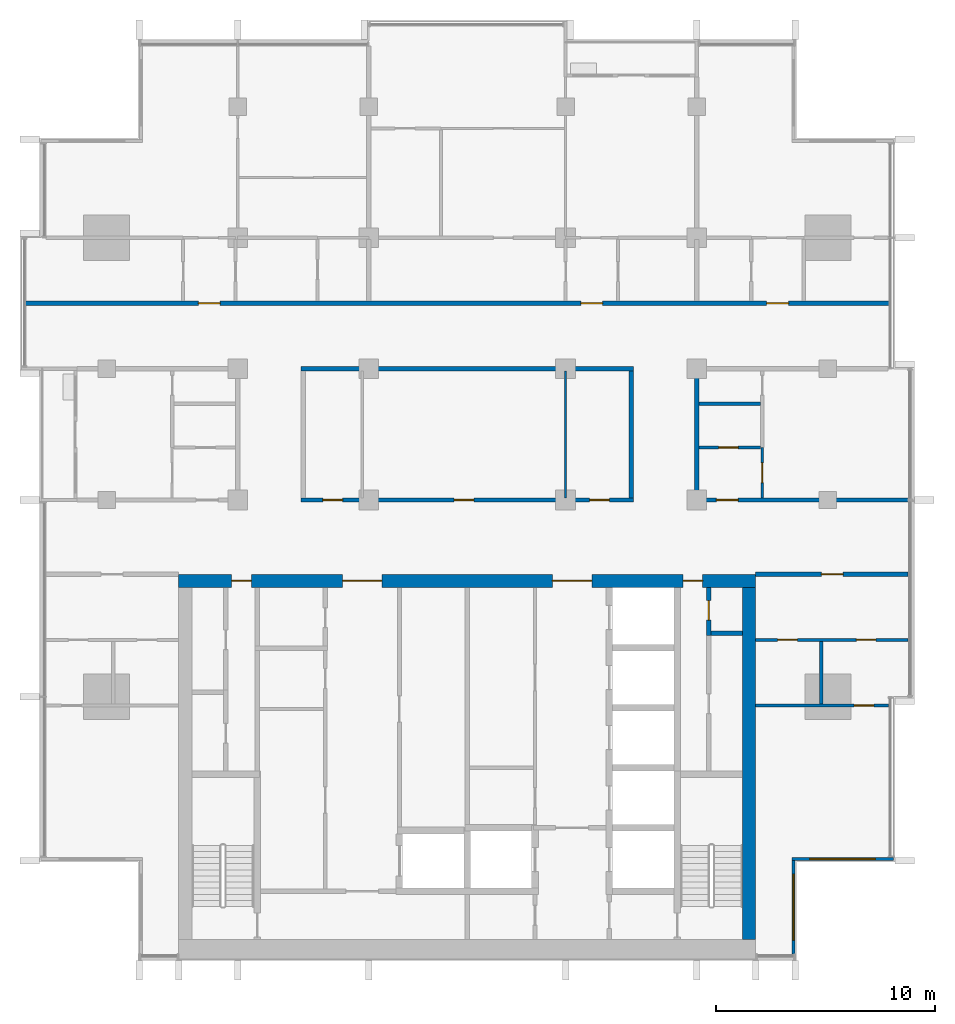
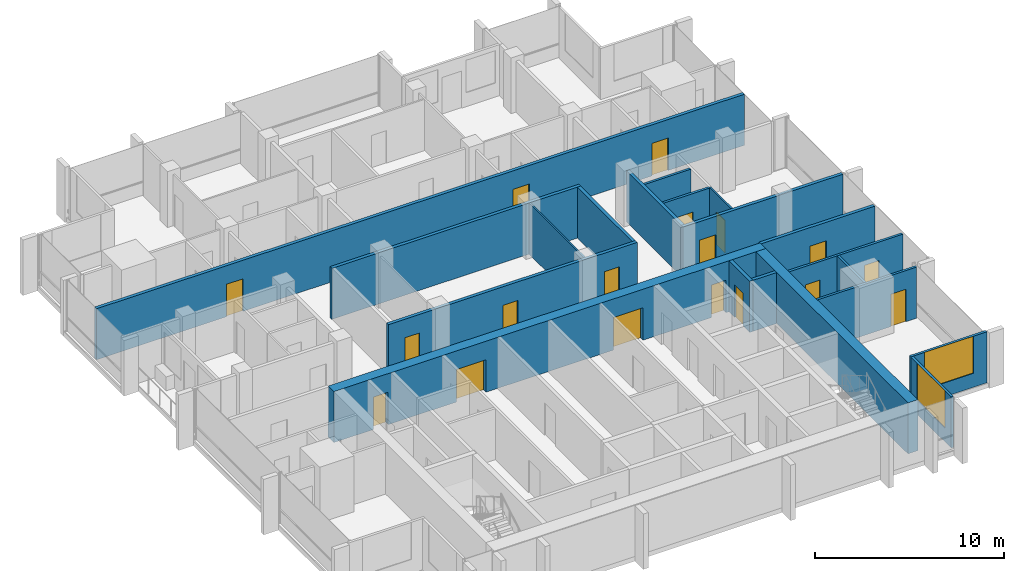
# One storey, part 9 of 16: 20 walls, 18 doors, 2 windows, 20 openings.
"""IFC4 building model written with IfcOpenShell, lengths in metres."""

from ifc_helpers import new_model, si_unit, direction, frame, frame_2d, origin, place, context, subcontext, project, spatial, rectangle, extrude, material, layer, layer_set, type_object, element, fill, save


model = new_model("IFC4")

# Units and contexts
model_context = context("Model", 3, precision=1e-05, world=origin(), true_north=direction((0.0, 1.0)))
body_context = subcontext(model_context, "Body", "Model", "MODEL_VIEW")
ifc_project = project(units=[si_unit("LENGTHUNIT", "METRE"), si_unit("AREAUNIT", "SQUARE_METRE"), si_unit("VOLUMEUNIT", "CUBIC_METRE"), si_unit("PLANEANGLEUNIT", "RADIAN"), si_unit("MASSUNIT", "GRAM", prefix="KILO")], contexts=[model_context])

# Site, building, storey
site_placement = place(None, origin())
site = spatial("IfcSite", under=ifc_project, at=site_placement, CompositionType="ELEMENT")
building_placement = place(site_placement, origin())
building = spatial("IfcBuilding", under=site, at=building_placement, Name="Finial Court Residences", CompositionType="ELEMENT")
storey_placement = place(building_placement, frame((0.0, 0.0, 233.89990234375)))
storey = spatial("IfcBuildingStorey", under=building, at=storey_placement, Name="L59", CompositionType="ELEMENT", Elevation=233.89990234375)

# Wall, openings, doors
ifc_material_1 = material(Name="Concrete C60/75", Category="concrete")
ifc_layer_1 = layer(ifc_material_1, 0.60009765625)
ifc_layer_set_1 = layer_set([ifc_layer_1], Name="Core outer wall 600 Concrete C60/75")
wall_type_1 = type_object("IfcWallType", Name="Core outer wall 600 Concrete C60/75", PredefinedType="SHEAR", material=ifc_layer_set_1)
wall_1_placement = place(storey_placement, frame((-13.199951171875, -8.199951171875, 0.0), z_axis=(0.0, 0.0, 1.0), x_axis=(1.0, 0.0, 0.0)))
wall_1 = element("IfcWall", 1, at=wall_1_placement, inside=storey, type_object=wall_type_1, Name="Core outer wall L59-02", PredefinedType="SHEAR", context=body_context, shape_type="SweptSolid", body=[
    extrude(rectangle(XDim=26.39990234375, YDim=0.60009765625, at=frame_2d((13.199951171875, 0.0))), origin(), (0.0, 0.0, 1.0), 3.300048828125),
])
opening_1_placement = place(wall_1_placement, frame((7.5, 0.0, 0.0)))
opening_1 = element("IfcOpeningElement", 2, at=opening_1_placement, cuts=wall_1, Name="Opening L59-C04", PredefinedType="OPENING", context=body_context, shape_type="SweptSolid", body=[
    extrude(rectangle(XDim=1.800048828125, YDim=2.10009765625, at=frame_2d((0.89990234375, 1.050048828125))), frame((0.0, 0.31005859375, 0.0), z_axis=(0.0, -1.0, 0.0), x_axis=(1.0, 0.0, 0.0)), (0.0, 0.0, 1.0), 0.6201171875),
])
opening_2_placement = place(wall_1_placement, frame((17.10009765625, 0.0, 0.0)))
opening_2 = element("IfcOpeningElement", 3, at=opening_2_placement, cuts=wall_1, Name="Opening L59-C05", PredefinedType="OPENING", context=body_context, shape_type="SweptSolid", body=[
    extrude(rectangle(XDim=1.800048828125, YDim=2.10009765625, at=frame_2d((0.89990234375, 1.050048828125))), frame((0.0, 0.31005859375, 0.0), z_axis=(0.0, -1.0, 0.0), x_axis=(1.0, 0.0, 0.0)), (0.0, 0.0, 1.0), 0.6201171875),
])
opening_3_placement = place(wall_1_placement, frame((2.425048828125, 0.0, 0.0)))
opening_3 = element("IfcOpeningElement", 4, at=opening_3_placement, cuts=wall_1, Name="Opening L59-C11", PredefinedType="OPENING", context=body_context, shape_type="SweptSolid", body=[
    extrude(rectangle(XDim=0.89990234375, YDim=2.10009765625, at=frame_2d((0.449951171875, 1.050048828125))), frame((0.0, 0.31005859375, 0.0), z_axis=(0.0, -1.0, 0.0), x_axis=(1.0, 0.0, 0.0)), (0.0, 0.0, 1.0), 0.6201171875),
])
opening_4_placement = place(wall_1_placement, frame((23.074951171875, 0.0, 0.0)))
opening_4 = element("IfcOpeningElement", 5, at=opening_4_placement, cuts=wall_1, Name="Opening L59-C12", PredefinedType="OPENING", context=body_context, shape_type="SweptSolid", body=[
    extrude(rectangle(XDim=0.89990234375, YDim=2.10009765625, at=frame_2d((0.449951171875, 1.050048828125))), frame((0.0, 0.31005859375, 0.0), z_axis=(0.0, -1.0, 0.0), x_axis=(1.0, 0.0, 0.0)), (0.0, 0.0, 1.0), 0.6201171875),
])
ifc_material_2 = material(Name="Steel fire door", Category="steel")
door_type_1 = type_object("IfcDoorType", Name="Lift lobby door 1800 x 2100 EI 60", OperationType="DOUBLE_DOOR_SINGLE_SWING", PredefinedType="DOOR", material=ifc_material_2)
door_1_placement = place(opening_1_placement, origin())
door_1 = element("IfcDoor", 6, at=door_1_placement, inside=storey, type_object=door_type_1, Name="Lift lobby door L59-C04", OperationType="DOUBLE_DOOR_SINGLE_SWING", OverallHeight=2.10009765625, OverallWidth=1.800048828125, PredefinedType="DOOR", context=body_context, shape_type="SweptSolid", body=[
    extrude(rectangle(XDim=1.800048828125, YDim=2.10009765625, at=frame_2d((0.89990234375, 1.050048828125))), frame((0.0, 0.02490234375, 0.0), z_axis=(0.0, -1.0, 0.0), x_axis=(1.0, 0.0, 0.0)), (0.0, 0.0, 1.0), 0.050048828125),
])
fill(opening_1, door_1)
door_2_placement = place(opening_2_placement, origin())
door_2 = element("IfcDoor", 7, at=door_2_placement, inside=storey, type_object=door_type_1, Name="Lift lobby door L59-C05", OperationType="DOUBLE_DOOR_SINGLE_SWING", OverallHeight=2.10009765625, OverallWidth=1.800048828125, PredefinedType="DOOR", context=body_context, shape_type="SweptSolid", body=[
    extrude(rectangle(XDim=1.800048828125, YDim=2.10009765625, at=frame_2d((0.89990234375, 1.050048828125))), frame((0.0, 0.02490234375, 0.0), z_axis=(0.0, -1.0, 0.0), x_axis=(1.0, 0.0, 0.0)), (0.0, 0.0, 1.0), 0.050048828125),
])
fill(opening_2, door_2)
door_type_2 = type_object("IfcDoorType", Name="Riser room door 900 x 2100 EI 90", OperationType="NOTDEFINED", PredefinedType="DOOR", material=ifc_material_2)
door_3_placement = place(opening_3_placement, origin())
door_3 = element("IfcDoor", 8, at=door_3_placement, inside=storey, type_object=door_type_2, Name="Riser room door L59-C11", OperationType="SINGLE_SWING_RIGHT", OverallHeight=2.10009765625, OverallWidth=0.89990234375, PredefinedType="DOOR", context=body_context, shape_type="SweptSolid", body=[
    extrude(rectangle(XDim=0.89990234375, YDim=2.10009765625, at=frame_2d((0.449951171875, 1.050048828125))), frame((0.0, 0.02490234375, 0.0), z_axis=(0.0, -1.0, 0.0), x_axis=(1.0, 0.0, 0.0)), (0.0, 0.0, 1.0), 0.050048828125),
])
fill(opening_3, door_3)
door_4_placement = place(opening_4_placement, origin())
door_4 = element("IfcDoor", 9, at=door_4_placement, inside=storey, type_object=door_type_2, Name="Riser room door L59-C12", OperationType="SINGLE_SWING_LEFT", OverallHeight=2.10009765625, OverallWidth=0.89990234375, PredefinedType="DOOR", context=body_context, shape_type="SweptSolid", body=[
    extrude(rectangle(XDim=0.89990234375, YDim=2.10009765625, at=frame_2d((0.449951171875, 1.050048828125))), frame((0.0, 0.02490234375, 0.0), z_axis=(0.0, -1.0, 0.0), x_axis=(1.0, 0.0, 0.0)), (0.0, 0.0, 1.0), 0.050048828125),
])
fill(opening_4, door_4)

# Wall
wall_2_placement = place(storey_placement, frame((12.89990234375, -24.60009765625, 0.0), z_axis=(0.0, 0.0, 1.0), x_axis=(0.0, 1.0, 0.0)))
element("IfcWall", 10, at=wall_2_placement, inside=storey, type_object=wall_type_1, Name="Core outer wall L59-04", PredefinedType="SHEAR", context=body_context, shape_type="SweptSolid", body=[
    extrude(rectangle(XDim=16.10009765625, YDim=0.60009765625, at=frame_2d((8.050048828125, 0.0))), origin(), (0.0, 0.0, 1.0), 3.300048828125),
])

# Wall, opening, door
ifc_material_3 = material(Name="Gypsum board")
ifc_layer_2 = layer(ifc_material_3, 0.02490234375)
ifc_material_4 = material(Name="Acoustic mineral wool in double frame")
ifc_layer_3 = layer(ifc_material_4, 0.14990234375)
ifc_layer_4 = layer(ifc_material_3, 0.02490234375)
ifc_layer_set_2 = layer_set([ifc_layer_2, ifc_layer_3, ifc_layer_4], Name="Corridor wall 200, 1 hour")
wall_type_2 = type_object("IfcWallType", Name="Corridor wall 200, 1 hour", PredefinedType="PARTITIONING", material=ifc_layer_set_2)
wall_3_placement = place(storey_placement, frame((13.199951171875, -7.89990234375, 0.0), z_axis=(0.0, 0.0, 1.0), x_axis=(1.0, 0.0, 0.0)))
wall_3 = element("IfcWall", 11, at=wall_3_placement, inside=storey, type_object=wall_type_2, Name="Partition L59-005", PredefinedType="PARTITIONING", context=body_context, shape_type="SweptSolid", body=[
    extrude(rectangle(XDim=6.962646484375, YDim=0.199951171875, at=frame_2d((3.4814453125, 0.0))), origin(), (0.0, 0.0, 1.0), 3.300048828125),
])
opening_5_placement = place(wall_3_placement, frame((3.0, 0.0, 0.0)))
opening_5 = element("IfcOpeningElement", 12, at=opening_5_placement, cuts=wall_3, Name="Opening L59-D008", PredefinedType="OPENING", context=body_context, shape_type="SweptSolid", body=[
    extrude(rectangle(XDim=1.0, YDim=2.10009765625, at=frame_2d((0.5, 1.050048828125))), frame((0.0, 0.10986328125, 0.0), z_axis=(0.0, -1.0, 0.0), x_axis=(1.0, 0.0, 0.0)), (0.0, 0.0, 1.0), 0.219970703125),
])
ifc_material_5 = material(Name="Timber door leaf in hollow metal frame", Category="wood")
door_type_3 = type_object("IfcDoorType", Name="Fire door set 1000 x 2100, 30 minutes", OperationType="SINGLE_SWING_LEFT", PredefinedType="DOOR", material=ifc_material_5)
door_5_placement = place(opening_5_placement, origin())
door_5 = element("IfcDoor", 13, at=door_5_placement, inside=storey, type_object=door_type_3, Name="Door L59-D008", OperationType="SINGLE_SWING_LEFT", OverallHeight=2.10009765625, OverallWidth=1.0, PredefinedType="DOOR", context=body_context, shape_type="SweptSolid", body=[
    extrude(rectangle(XDim=1.0, YDim=2.10009765625, at=frame_2d((0.5, 1.050048828125))), frame((0.0, 0.02490234375, 0.0), z_axis=(0.0, -1.0, 0.0), x_axis=(1.0, 0.0, 0.0)), (0.0, 0.0, 1.0), 0.050048828125),
])
fill(opening_5, door_5)

# Wall, openings, doors
wall_4_placement = place(storey_placement, frame((-7.60009765625, -4.5, 0.0), z_axis=(0.0, 0.0, 1.0), x_axis=(1.0, 0.0, 0.0)))
wall_4 = element("IfcWall", 14, at=wall_4_placement, inside=storey, type_object=wall_type_2, Name="Partition L59-007", PredefinedType="PARTITIONING", context=body_context, shape_type="SweptSolid", body=[
    extrude(rectangle(XDim=15.2001953125, YDim=0.199951171875, at=frame_2d((7.60009765625, 0.0))), origin(), (0.0, 0.0, 1.0), 3.300048828125),
])
opening_6_placement = place(wall_4_placement, frame((1.0, 0.0, 0.0)))
opening_6 = element("IfcOpeningElement", 15, at=opening_6_placement, cuts=wall_4, Name="Opening L59-D010", PredefinedType="OPENING", context=body_context, shape_type="SweptSolid", body=[
    extrude(rectangle(XDim=0.89990234375, YDim=2.10009765625, at=frame_2d((0.449951171875, 1.050048828125))), frame((0.0, 0.10986328125, 0.0), z_axis=(0.0, -1.0, 0.0), x_axis=(1.0, 0.0, 0.0)), (0.0, 0.0, 1.0), 0.219970703125),
])
opening_7_placement = place(wall_4_placement, frame((7.0, 0.0, 0.0)))
opening_7 = element("IfcOpeningElement", 16, at=opening_7_placement, cuts=wall_4, Name="Opening L59-D011", PredefinedType="OPENING", context=body_context, shape_type="SweptSolid", body=[
    extrude(rectangle(XDim=0.89990234375, YDim=2.10009765625, at=frame_2d((0.449951171875, 1.050048828125))), frame((0.0, 0.10986328125, 0.0), z_axis=(0.0, -1.0, 0.0), x_axis=(1.0, 0.0, 0.0)), (0.0, 0.0, 1.0), 0.219970703125),
])
opening_8_placement = place(wall_4_placement, frame((13.199951171875, 0.0, 0.0)))
opening_8 = element("IfcOpeningElement", 17, at=opening_8_placement, cuts=wall_4, Name="Opening L59-D012", PredefinedType="OPENING", context=body_context, shape_type="SweptSolid", body=[
    extrude(rectangle(XDim=0.89990234375, YDim=2.10009765625, at=frame_2d((0.449951171875, 1.050048828125))), frame((0.0, 0.10986328125, 0.0), z_axis=(0.0, -1.0, 0.0), x_axis=(1.0, 0.0, 0.0)), (0.0, 0.0, 1.0), 0.219970703125),
])
door_type_4 = type_object("IfcDoorType", Name="Fire door set 900 x 2100, 30 minutes", OperationType="SINGLE_SWING_LEFT", PredefinedType="DOOR", material=ifc_material_5)
door_6_placement = place(opening_6_placement, origin())
door_6 = element("IfcDoor", 18, at=door_6_placement, inside=storey, type_object=door_type_4, Name="Door L59-D010", OperationType="SINGLE_SWING_RIGHT", OverallHeight=2.10009765625, OverallWidth=0.89990234375, PredefinedType="DOOR", context=body_context, shape_type="SweptSolid", body=[
    extrude(rectangle(XDim=0.89990234375, YDim=2.10009765625, at=frame_2d((0.449951171875, 1.050048828125))), frame((0.0, 0.02490234375, 0.0), z_axis=(0.0, -1.0, 0.0), x_axis=(1.0, 0.0, 0.0)), (0.0, 0.0, 1.0), 0.050048828125),
])
fill(opening_6, door_6)
door_7_placement = place(opening_7_placement, origin())
door_7 = element("IfcDoor", 19, at=door_7_placement, inside=storey, type_object=door_type_4, Name="Door L59-D011", OperationType="SINGLE_SWING_RIGHT", OverallHeight=2.10009765625, OverallWidth=0.89990234375, PredefinedType="DOOR", context=body_context, shape_type="SweptSolid", body=[
    extrude(rectangle(XDim=0.89990234375, YDim=2.10009765625, at=frame_2d((0.449951171875, 1.050048828125))), frame((0.0, 0.02490234375, 0.0), z_axis=(0.0, -1.0, 0.0), x_axis=(1.0, 0.0, 0.0)), (0.0, 0.0, 1.0), 0.050048828125),
])
fill(opening_7, door_7)
door_8_placement = place(opening_8_placement, origin())
door_8 = element("IfcDoor", 20, at=door_8_placement, inside=storey, type_object=door_type_4, Name="Door L59-D012", OperationType="SINGLE_SWING_LEFT", OverallHeight=2.10009765625, OverallWidth=0.89990234375, PredefinedType="DOOR", context=body_context, shape_type="SweptSolid", body=[
    extrude(rectangle(XDim=0.89990234375, YDim=2.10009765625, at=frame_2d((0.449951171875, 1.050048828125))), frame((0.0, 0.02490234375, 0.0), z_axis=(0.0, -1.0, 0.0), x_axis=(1.0, 0.0, 0.0)), (0.0, 0.0, 1.0), 0.050048828125),
])
fill(opening_8, door_8)

# Wall, opening, door
wall_5_placement = place(storey_placement, frame((10.39990234375, -4.5, 0.0), z_axis=(0.0, 0.0, 1.0), x_axis=(1.0, 0.0, 0.0)))
wall_5 = element("IfcWall", 21, at=wall_5_placement, inside=storey, type_object=wall_type_2, Name="Partition L59-008", PredefinedType="PARTITIONING", context=body_context, shape_type="SweptSolid", body=[
    extrude(rectangle(XDim=9.7626953125, YDim=0.199951171875, at=frame_2d((4.88134765625, 0.0))), origin(), (0.0, 0.0, 1.0), 3.300048828125),
])
opening_9_placement = place(wall_5_placement, frame((1.0, 0.0, 0.0)))
opening_9 = element("IfcOpeningElement", 22, at=opening_9_placement, cuts=wall_5, Name="Opening L59-D013", PredefinedType="OPENING", context=body_context, shape_type="SweptSolid", body=[
    extrude(rectangle(XDim=1.0, YDim=2.10009765625, at=frame_2d((0.5, 1.050048828125))), frame((0.0, 0.10986328125, 0.0), z_axis=(0.0, -1.0, 0.0), x_axis=(1.0, 0.0, 0.0)), (0.0, 0.0, 1.0), 0.219970703125),
])
door_9_placement = place(opening_9_placement, origin())
door_9 = element("IfcDoor", 23, at=door_9_placement, inside=storey, type_object=door_type_3, Name="Door L59-D013", OperationType="SINGLE_SWING_RIGHT", OverallHeight=2.10009765625, OverallWidth=1.0, PredefinedType="DOOR", context=body_context, shape_type="SweptSolid", body=[
    extrude(rectangle(XDim=1.0, YDim=2.10009765625, at=frame_2d((0.5, 1.050048828125))), frame((0.0, 0.02490234375, 0.0), z_axis=(0.0, -1.0, 0.0), x_axis=(1.0, 0.0, 0.0)), (0.0, 0.0, 1.0), 0.050048828125),
])
fill(opening_9, door_9)

# Wall
wall_6_placement = place(storey_placement, frame((-7.60009765625, 1.5, 0.0), z_axis=(0.0, 0.0, 1.0), x_axis=(1.0, 0.0, 0.0)))
element("IfcWall", 24, at=wall_6_placement, inside=storey, type_object=wall_type_2, Name="Partition L59-014", PredefinedType="PARTITIONING", context=body_context, shape_type="SweptSolid", body=[
    extrude(rectangle(XDim=15.2001953125, YDim=0.199951171875, at=frame_2d((7.60009765625, 0.0))), origin(), (0.0, 0.0, 1.0), 3.300048828125),
])

# Wall, openings, doors
wall_7_placement = place(storey_placement, frame((-20.25, 4.5, 0.0), z_axis=(0.0, 0.0, 1.0), x_axis=(1.0, 0.0, 0.0)))
wall_7 = element("IfcWall", 25, at=wall_7_placement, inside=storey, type_object=wall_type_2, Name="Partition L59-016", PredefinedType="PARTITIONING", context=body_context, shape_type="SweptSolid", body=[
    extrude(rectangle(XDim=39.60009765625, YDim=0.199951171875, at=frame_2d((19.800048828125, 0.0))), origin(), (0.0, 0.0, 1.0), 3.300048828125),
])
opening_10_placement = place(wall_7_placement, frame((7.949951171875, 0.0, 0.0)))
opening_10 = element("IfcOpeningElement", 26, at=opening_10_placement, cuts=wall_7, Name="Opening L59-D016", PredefinedType="OPENING", context=body_context, shape_type="SweptSolid", body=[
    extrude(rectangle(XDim=1.0, YDim=2.10009765625, at=frame_2d((0.5, 1.050048828125))), frame((0.0, 0.10986328125, 0.0), z_axis=(0.0, -1.0, 0.0), x_axis=(1.0, 0.0, 0.0)), (0.0, 0.0, 1.0), 0.219970703125),
])
opening_11_placement = place(wall_7_placement, frame((25.449951171875, 0.0, 0.0)))
opening_11 = element("IfcOpeningElement", 27, at=opening_11_placement, cuts=wall_7, Name="Opening L59-D017", PredefinedType="OPENING", context=body_context, shape_type="SweptSolid", body=[
    extrude(rectangle(XDim=1.0, YDim=2.10009765625, at=frame_2d((0.5, 1.050048828125))), frame((0.0, 0.10986328125, 0.0), z_axis=(0.0, -1.0, 0.0), x_axis=(1.0, 0.0, 0.0)), (0.0, 0.0, 1.0), 0.219970703125),
])
opening_12_placement = place(wall_7_placement, frame((33.949951171875, 0.0, 0.0)))
opening_12 = element("IfcOpeningElement", 28, at=opening_12_placement, cuts=wall_7, Name="Opening L59-D018", PredefinedType="OPENING", context=body_context, shape_type="SweptSolid", body=[
    extrude(rectangle(XDim=1.0, YDim=2.10009765625, at=frame_2d((0.5, 1.050048828125))), frame((0.0, 0.10986328125, 0.0), z_axis=(0.0, -1.0, 0.0), x_axis=(1.0, 0.0, 0.0)), (0.0, 0.0, 1.0), 0.219970703125),
])
door_10_placement = place(opening_10_placement, origin())
door_10 = element("IfcDoor", 29, at=door_10_placement, inside=storey, type_object=door_type_3, Name="Door L59-D016", OperationType="SINGLE_SWING_RIGHT", OverallHeight=2.10009765625, OverallWidth=1.0, PredefinedType="DOOR", context=body_context, shape_type="SweptSolid", body=[
    extrude(rectangle(XDim=1.0, YDim=2.10009765625, at=frame_2d((0.5, 1.050048828125))), frame((0.0, 0.02490234375, 0.0), z_axis=(0.0, -1.0, 0.0), x_axis=(1.0, 0.0, 0.0)), (0.0, 0.0, 1.0), 0.050048828125),
])
fill(opening_10, door_10)
door_11_placement = place(opening_11_placement, origin())
door_11 = element("IfcDoor", 30, at=door_11_placement, inside=storey, type_object=door_type_3, Name="Door L59-D017", OperationType="SINGLE_SWING_LEFT", OverallHeight=2.10009765625, OverallWidth=1.0, PredefinedType="DOOR", context=body_context, shape_type="SweptSolid", body=[
    extrude(rectangle(XDim=1.0, YDim=2.10009765625, at=frame_2d((0.5, 1.050048828125))), frame((0.0, 0.02490234375, 0.0), z_axis=(0.0, -1.0, 0.0), x_axis=(1.0, 0.0, 0.0)), (0.0, 0.0, 1.0), 0.050048828125),
])
fill(opening_11, door_11)
door_12_placement = place(opening_12_placement, origin())
door_12 = element("IfcDoor", 31, at=door_12_placement, inside=storey, type_object=door_type_3, Name="Door L59-D018", OperationType="SINGLE_SWING_LEFT", OverallHeight=2.10009765625, OverallWidth=1.0, PredefinedType="DOOR", context=body_context, shape_type="SweptSolid", body=[
    extrude(rectangle(XDim=1.0, YDim=2.10009765625, at=frame_2d((0.5, 1.050048828125))), frame((0.0, 0.02490234375, 0.0), z_axis=(0.0, -1.0, 0.0), x_axis=(1.0, 0.0, 0.0)), (0.0, 0.0, 1.0), 0.050048828125),
])
fill(opening_12, door_12)

# Walls
for number, where, z_axis, x_axis, name in (
    (32, (7.5, -4.39990234375, 0.0), (0.0, 0.0, 1.0), (0.0, 1.0, 0.0), "Partition L59-046"),
    (33, (10.5, -4.39990234375, 0.0), (0.0, 0.0, 1.0), (0.0, 1.0, 0.0), "Partition L59-047"),
):
    element("IfcWall", number, at=place(storey_placement, frame(where, z_axis=z_axis, x_axis=x_axis)), inside=storey, type_object=wall_type_2, Name=name, PredefinedType="PARTITIONING", context=body_context, shape_type="SweptSolid", body=[
        extrude(rectangle(XDim=5.7998046875, YDim=0.199951171875, at=frame_2d((2.89990234375, 0.0))), origin(), (0.0, 0.0, 1.0), 3.300048828125),
    ])
ifc_layer_5 = layer(ifc_material_3, 0.012451171875)
ifc_material_6 = material(Name="Mineral wool in light-gauge frame")
ifc_layer_6 = layer(ifc_material_6, 0.074951171875)
ifc_layer_7 = layer(ifc_material_3, 0.012451171875)
ifc_layer_set_3 = layer_set([ifc_layer_5, ifc_layer_6, ifc_layer_7], Name="Gypsum board partition 100")
wall_type_3 = type_object("IfcWallType", Name="Gypsum board partition 100", PredefinedType="PARTITIONING", material=ifc_layer_set_3)
wall_8_placement = place(storey_placement, frame((4.5, -4.39990234375, 0.0), z_axis=(0.0, 0.0, 1.0), x_axis=(0.0, 1.0, 0.0)))
element("IfcWall", 34, at=wall_8_placement, inside=storey, type_object=wall_type_3, Name="Partition L59-042", PredefinedType="PARTITIONING", context=body_context, shape_type="SweptSolid", body=[
    extrude(rectangle(XDim=5.7998046875, YDim=0.10009765625, at=frame_2d((2.89990234375, 0.0))), origin(), (0.0, 0.0, 1.0), 3.300048828125),
])

# Wall, opening, door
wall_9_placement = place(storey_placement, frame((13.5, -4.39990234375, 0.0), z_axis=(0.0, 0.0, 1.0), x_axis=(0.0, 1.0, 0.0)))
wall_9 = element("IfcWall", 35, at=wall_9_placement, inside=storey, type_object=wall_type_3, Name="Partition L59-051", PredefinedType="PARTITIONING", context=body_context, shape_type="SweptSolid", body=[
    extrude(rectangle(XDim=2.2998046875, YDim=0.10009765625, at=frame_2d((1.14990234375, 0.0))), origin(), (0.0, 0.0, 1.0), 3.300048828125),
])
opening_13_placement = place(wall_9_placement, frame((0.699951171875, 0.0, 0.0)))
opening_13 = element("IfcOpeningElement", 36, at=opening_13_placement, cuts=wall_9, Name="Opening L59-D036", PredefinedType="OPENING", context=body_context, shape_type="SweptSolid", body=[
    extrude(rectangle(XDim=0.89990234375, YDim=2.10009765625, at=frame_2d((0.449951171875, 1.050048828125))), frame((0.0, 0.06005859375, 0.0), z_axis=(0.0, -1.0, 0.0), x_axis=(1.0, 0.0, 0.0)), (0.0, 0.0, 1.0), 0.1201171875),
])
ifc_material_7 = material(Name="Timber door leaf in timber frame", Category="wood")
door_type_5 = type_object("IfcDoorType", Name="Door set 900 x 2100", OperationType="SINGLE_SWING_LEFT", PredefinedType="DOOR", material=ifc_material_7)
door_13_placement = place(opening_13_placement, origin())
door_13 = element("IfcDoor", 37, at=door_13_placement, inside=storey, type_object=door_type_5, Name="Door L59-D036", OperationType="SINGLE_SWING_LEFT", OverallHeight=2.10009765625, OverallWidth=0.89990234375, PredefinedType="DOOR", context=body_context, shape_type="SweptSolid", body=[
    extrude(rectangle(XDim=0.89990234375, YDim=2.10009765625, at=frame_2d((0.449951171875, 1.050048828125))), frame((0.0, 0.02490234375, 0.0), z_axis=(0.0, -1.0, 0.0), x_axis=(1.0, 0.0, 0.0)), (0.0, 0.0, 1.0), 0.050048828125),
])
fill(opening_13, door_13)

ifc_material_8 = material(Name="Moisture-resistant gypsum board")
ifc_layer_8 = layer(ifc_material_8, 0.012451171875)
ifc_layer_9 = layer(ifc_material_6, 0.125)
ifc_layer_10 = layer(ifc_material_8, 0.012451171875)
ifc_layer_set_4 = layer_set([ifc_layer_8, ifc_layer_9, ifc_layer_10], Name="Gypsum board wet-area partition 150")
wall_type_4 = type_object("IfcWallType", Name="Gypsum board wet-area partition 150", PredefinedType="PARTITIONING", material=ifc_layer_set_4)
wall_10_placement = place(storey_placement, frame((13.199951171875, -13.89990234375, 0.0), z_axis=(0.0, 0.0, 1.0), x_axis=(1.0, 0.0, 0.0)))
wall_10 = element("IfcWall", 38, at=wall_10_placement, inside=storey, type_object=wall_type_4, Name="Partition L59-001", PredefinedType="PARTITIONING", context=body_context, shape_type="SweptSolid", body=[
    extrude(rectangle(XDim=6.0625, YDim=0.14990234375, at=frame_2d((3.03125, 0.0))), origin(), (0.0, 0.0, 1.0), 3.300048828125),
])
opening_14_placement = place(wall_10_placement, frame((4.5, 0.0, 0.0)))
opening_14 = element("IfcOpeningElement", 39, at=opening_14_placement, cuts=wall_10, Name="Opening L59-D002", PredefinedType="OPENING", context=body_context, shape_type="SweptSolid", body=[
    extrude(rectangle(XDim=0.89990234375, YDim=2.10009765625, at=frame_2d((0.449951171875, 1.050048828125))), frame((0.0, 0.0849609375, 0.0), z_axis=(0.0, -1.0, 0.0), x_axis=(1.0, 0.0, 0.0)), (0.0, 0.0, 1.0), 0.169921875),
])
door_14_placement = place(opening_14_placement, origin())
door_14 = element("IfcDoor", 40, at=door_14_placement, inside=storey, type_object=door_type_5, Name="Door L59-D002", OperationType="SINGLE_SWING_RIGHT", OverallHeight=2.10009765625, OverallWidth=0.89990234375, PredefinedType="DOOR", context=body_context, shape_type="SweptSolid", body=[
    extrude(rectangle(XDim=0.89990234375, YDim=2.10009765625, at=frame_2d((0.449951171875, 1.050048828125))), frame((0.0, 0.02490234375, 0.0), z_axis=(0.0, -1.0, 0.0), x_axis=(1.0, 0.0, 0.0)), (0.0, 0.0, 1.0), 0.050048828125),
])
fill(opening_14, door_14)

# Wall, openings, doors
wall_11_placement = place(storey_placement, frame((13.199951171875, -10.89990234375, 0.0), z_axis=(0.0, 0.0, 1.0), x_axis=(1.0, 0.0, 0.0)))
wall_11 = element("IfcWall", 41, at=wall_11_placement, inside=storey, type_object=wall_type_4, Name="Partition L59-003", PredefinedType="PARTITIONING", context=body_context, shape_type="SweptSolid", body=[
    extrude(rectangle(XDim=6.962646484375, YDim=0.14990234375, at=frame_2d((3.4814453125, 0.0))), origin(), (0.0, 0.0, 1.0), 3.300048828125),
])
opening_15_placement = place(wall_11_placement, frame((1.0, 0.0, 0.0)))
opening_15 = element("IfcOpeningElement", 42, at=opening_15_placement, cuts=wall_11, Name="Opening L59-D005", PredefinedType="OPENING", context=body_context, shape_type="SweptSolid", body=[
    extrude(rectangle(XDim=0.89990234375, YDim=2.10009765625, at=frame_2d((0.449951171875, 1.050048828125))), frame((0.0, 0.0849609375, 0.0), z_axis=(0.0, -1.0, 0.0), x_axis=(1.0, 0.0, 0.0)), (0.0, 0.0, 1.0), 0.169921875),
])
opening_16_placement = place(wall_11_placement, frame((4.60009765625, 0.0, 0.0)))
opening_16 = element("IfcOpeningElement", 43, at=opening_16_placement, cuts=wall_11, Name="Opening L59-D006", PredefinedType="OPENING", context=body_context, shape_type="SweptSolid", body=[
    extrude(rectangle(XDim=0.89990234375, YDim=2.10009765625, at=frame_2d((0.449951171875, 1.050048828125))), frame((0.0, 0.0849609375, 0.0), z_axis=(0.0, -1.0, 0.0), x_axis=(1.0, 0.0, 0.0)), (0.0, 0.0, 1.0), 0.169921875),
])
door_15_placement = place(opening_15_placement, origin())
door_15 = element("IfcDoor", 44, at=door_15_placement, inside=storey, type_object=door_type_5, Name="Door L59-D005", OperationType="SINGLE_SWING_LEFT", OverallHeight=2.10009765625, OverallWidth=0.89990234375, PredefinedType="DOOR", context=body_context, shape_type="SweptSolid", body=[
    extrude(rectangle(XDim=0.89990234375, YDim=2.10009765625, at=frame_2d((0.449951171875, 1.050048828125))), frame((0.0, 0.02490234375, 0.0), z_axis=(0.0, -1.0, 0.0), x_axis=(1.0, 0.0, 0.0)), (0.0, 0.0, 1.0), 0.050048828125),
])
fill(opening_15, door_15)
door_16_placement = place(opening_16_placement, origin())
door_16 = element("IfcDoor", 45, at=door_16_placement, inside=storey, type_object=door_type_5, Name="Door L59-D006", OperationType="SINGLE_SWING_RIGHT", OverallHeight=2.10009765625, OverallWidth=0.89990234375, PredefinedType="DOOR", context=body_context, shape_type="SweptSolid", body=[
    extrude(rectangle(XDim=0.89990234375, YDim=2.10009765625, at=frame_2d((0.449951171875, 1.050048828125))), frame((0.0, 0.02490234375, 0.0), z_axis=(0.0, -1.0, 0.0), x_axis=(1.0, 0.0, 0.0)), (0.0, 0.0, 1.0), 0.050048828125),
])
fill(opening_16, door_16)

# Wall, opening, door
wall_12_placement = place(storey_placement, frame((10.60009765625, -2.10009765625, 0.0), z_axis=(0.0, 0.0, 1.0), x_axis=(1.0, 0.0, 0.0)))
wall_12 = element("IfcWall", 46, at=wall_12_placement, inside=storey, type_object=wall_type_4, Name="Partition L59-010", PredefinedType="PARTITIONING", context=body_context, shape_type="SweptSolid", body=[
    extrude(rectangle(XDim=2.824951171875, YDim=0.14990234375, at=frame_2d((1.41259765625, 0.0))), origin(), (0.0, 0.0, 1.0), 3.300048828125),
])
opening_17_placement = place(wall_12_placement, frame((0.89990234375, 0.0, 0.0)))
opening_17 = element("IfcOpeningElement", 47, at=opening_17_placement, cuts=wall_12, Name="Opening L59-D015", PredefinedType="OPENING", context=body_context, shape_type="SweptSolid", body=[
    extrude(rectangle(XDim=0.89990234375, YDim=2.10009765625, at=frame_2d((0.449951171875, 1.050048828125))), frame((0.0, 0.0849609375, 0.0), z_axis=(0.0, -1.0, 0.0), x_axis=(1.0, 0.0, 0.0)), (0.0, 0.0, 1.0), 0.169921875),
])
door_17_placement = place(opening_17_placement, origin())
door_17 = element("IfcDoor", 48, at=door_17_placement, inside=storey, type_object=door_type_5, Name="Door L59-D015", OperationType="SINGLE_SWING_LEFT", OverallHeight=2.10009765625, OverallWidth=0.89990234375, PredefinedType="DOOR", context=body_context, shape_type="SweptSolid", body=[
    extrude(rectangle(XDim=0.89990234375, YDim=2.10009765625, at=frame_2d((0.449951171875, 1.050048828125))), frame((0.0, 0.02490234375, 0.0), z_axis=(0.0, -1.0, 0.0), x_axis=(1.0, 0.0, 0.0)), (0.0, 0.0, 1.0), 0.050048828125),
])
fill(opening_17, door_17)

# Walls
wall_13_placement = place(storey_placement, frame((10.60009765625, -0.10009765625, 0.0), z_axis=(0.0, 0.0, 1.0), x_axis=(1.0, 0.0, 0.0)))
element("IfcWall", 49, at=wall_13_placement, inside=storey, type_object=wall_type_4, Name="Partition L59-012", PredefinedType="PARTITIONING", context=body_context, shape_type="SweptSolid", body=[
    extrude(rectangle(XDim=2.824951171875, YDim=0.14990234375, at=frame_2d((1.41259765625, 0.0))), origin(), (0.0, 0.0, 1.0), 3.300048828125),
])
wall_14_placement = place(storey_placement, frame((16.199951171875, -13.824951171875, 0.0), z_axis=(0.0, 0.0, 1.0), x_axis=(0.0, 1.0, 0.0)))
element("IfcWall", 50, at=wall_14_placement, inside=storey, type_object=wall_type_4, Name="Partition L59-054", PredefinedType="PARTITIONING", context=body_context, shape_type="SweptSolid", body=[
    extrude(rectangle(XDim=2.849853515625, YDim=0.14990234375, at=frame_2d((1.4248046875, 0.0))), origin(), (0.0, 0.0, 1.0), 3.300048828125),
])

# Wall, opening, window
ifc_material_9 = material(Name="Natural limestone", Category="masonry")
ifc_layer_11 = layer(ifc_material_9, 0.14990234375)
ifc_layer_set_5 = layer_set([ifc_layer_11], Name="Limestone clad wall 150")
wall_type_5 = type_object("IfcWallType", Name="Limestone clad wall 150", PredefinedType="SOLIDWALL", material=ifc_layer_set_5)
wall_15_placement = place(storey_placement, frame((14.925048828125, -21.0, 0.0), z_axis=(0.0, 0.0, 1.0), x_axis=(0.0, -1.0, 0.0)))
wall_15 = element("IfcWall", 51, at=wall_15_placement, inside=storey, type_object=wall_type_5, Name="E-L59-NWE15", PredefinedType="SOLIDWALL", context=body_context, shape_type="SweptSolid", body=[
    extrude(rectangle(XDim=4.262451171875, YDim=0.14990234375, at=frame_2d((2.13134765625, 0.0))), origin(), (0.0, 0.0, 1.0), 3.300048828125),
])
opening_18_placement = place(wall_15_placement, frame((0.63134765625, 0.0, 0.89990234375)))
opening_18 = element("IfcOpeningElement", 52, at=opening_18_placement, cuts=wall_15, Name="Opening WE59-03", PredefinedType="OPENING", context=body_context, shape_type="SweptSolid", body=[
    extrude(rectangle(XDim=3.0, YDim=2.39990234375, at=frame_2d((1.5, 1.199951171875))), frame((0.0, 0.0849609375, 0.0), z_axis=(0.0, -1.0, 0.0), x_axis=(1.0, 0.0, 0.0)), (0.0, 0.0, 1.0), 0.169921875),
])
ifc_material_10 = material(Name="Clear low-e glass", Category="glass")
window_type = type_object("IfcWindowType", Name="Corner window 3000 x 2400", PartitioningType="SINGLE_PANEL", PredefinedType="WINDOW", material=ifc_material_10)
window_1_placement = place(opening_18_placement, origin())
window_1 = element("IfcWindow", 53, at=window_1_placement, inside=storey, type_object=window_type, Name="E-L59-NWE15-W1", OverallHeight=2.39990234375, OverallWidth=3.0, PartitioningType="SINGLE_PANEL", PredefinedType="WINDOW", context=body_context, shape_type="SweptSolid", body=[
    extrude(rectangle(XDim=3.0, YDim=2.39990234375, at=frame_2d((1.5, 1.199951171875))), frame((0.0, 0.030029296875, 0.0), z_axis=(0.0, -1.0, 0.0), x_axis=(1.0, 0.0, 0.0)), (0.0, 0.0, 1.0), 0.06005859375),
])
fill(opening_18, window_1)

wall_16_placement = place(storey_placement, frame((19.5, -20.925048828125, 0.0), z_axis=(0.0, 0.0, 1.0), x_axis=(-1.0, 0.0, 0.0)))
wall_16 = element("IfcWall", 54, at=wall_16_placement, inside=storey, type_object=wall_type_5, Name="E-L59-NWS16", PredefinedType="SOLIDWALL", context=body_context, shape_type="SweptSolid", body=[
    extrude(rectangle(XDim=4.64990234375, YDim=0.14990234375, at=frame_2d((2.324951171875, 0.0))), origin(), (0.0, 0.0, 1.0), 3.300048828125),
])
opening_19_placement = place(wall_16_placement, frame((0.824951171875, 0.0, 0.89990234375)))
opening_19 = element("IfcOpeningElement", 55, at=opening_19_placement, cuts=wall_16, Name="Opening WE59-04", PredefinedType="OPENING", context=body_context, shape_type="SweptSolid", body=[
    extrude(rectangle(XDim=3.0, YDim=2.39990234375, at=frame_2d((1.5, 1.199951171875))), frame((0.0, 0.0849609375, 0.0), z_axis=(0.0, -1.0, 0.0), x_axis=(1.0, 0.0, 0.0)), (0.0, 0.0, 1.0), 0.169921875),
])
window_2_placement = place(opening_19_placement, origin())
window_2 = element("IfcWindow", 56, at=window_2_placement, inside=storey, type_object=window_type, Name="E-L59-NWS16-W1", OverallHeight=2.39990234375, OverallWidth=3.0, PartitioningType="SINGLE_PANEL", PredefinedType="WINDOW", context=body_context, shape_type="SweptSolid", body=[
    extrude(rectangle(XDim=3.0, YDim=2.39990234375, at=frame_2d((1.5, 1.199951171875))), frame((0.0, 0.030029296875, 0.0), z_axis=(0.0, -1.0, 0.0), x_axis=(1.0, 0.0, 0.0)), (0.0, 0.0, 1.0), 0.06005859375),
])
fill(opening_19, window_2)

# Wall
ifc_material_11 = material(Name="Fire-rated gypsum board partition")
ifc_layer_12 = layer(ifc_material_11, 0.199951171875)
ifc_layer_set_6 = layer_set([ifc_layer_12], Name="Riser room wall 200 EI 120")
wall_type_6 = type_object("IfcWallType", Name="Riser room wall 200 EI 120", PredefinedType="PARTITIONING", material=ifc_layer_set_6)
wall_17_placement = place(storey_placement, frame((11.14990234375, -10.60009765625, 0.0), z_axis=(0.0, 0.0, 1.0), x_axis=(1.0, 0.0, 0.0)))
element("IfcWall", 57, at=wall_17_placement, inside=storey, type_object=wall_type_6, Name="Core partition L59-17", PredefinedType="PARTITIONING", context=body_context, shape_type="SweptSolid", body=[
    extrude(rectangle(XDim=1.4501953125, YDim=0.199951171875, at=frame_2d((0.72509765625, 0.0))), origin(), (0.0, 0.0, 1.0), 3.300048828125),
])

# Wall, opening, door
wall_18_placement = place(storey_placement, frame((11.050048828125, -8.5, 0.0), z_axis=(0.0, 0.0, 1.0), x_axis=(0.0, -1.0, 0.0)))
wall_18 = element("IfcWall", 58, at=wall_18_placement, inside=storey, type_object=wall_type_6, Name="Core partition L59-38", PredefinedType="PARTITIONING", context=body_context, shape_type="SweptSolid", body=[
    extrude(rectangle(XDim=2.199951171875, YDim=0.199951171875, at=frame_2d((1.10009765625, 0.0))), origin(), (0.0, 0.0, 1.0), 3.300048828125),
])
opening_20_placement = place(wall_18_placement, frame((0.60009765625, 0.0, 0.0)))
opening_20 = element("IfcOpeningElement", 59, at=opening_20_placement, cuts=wall_18, Name="Opening L59-C08", PredefinedType="OPENING", context=body_context, shape_type="SweptSolid", body=[
    extrude(rectangle(XDim=0.89990234375, YDim=2.10009765625, at=frame_2d((0.449951171875, 1.050048828125))), frame((0.0, 0.10986328125, 0.0), z_axis=(0.0, -1.0, 0.0), x_axis=(1.0, 0.0, 0.0)), (0.0, 0.0, 1.0), 0.219970703125),
])
door_18_placement = place(opening_20_placement, origin())
door_18 = element("IfcDoor", 60, at=door_18_placement, inside=storey, type_object=door_type_2, Name="Riser room door L59-C08", OperationType="SINGLE_SWING_RIGHT", OverallHeight=2.10009765625, OverallWidth=0.89990234375, PredefinedType="DOOR", context=body_context, shape_type="SweptSolid", body=[
    extrude(rectangle(XDim=0.89990234375, YDim=2.10009765625, at=frame_2d((0.449951171875, 1.050048828125))), frame((0.0, 0.02490234375, 0.0), z_axis=(0.0, -1.0, 0.0), x_axis=(1.0, 0.0, 0.0)), (0.0, 0.0, 1.0), 0.050048828125),
])
fill(opening_20, door_18)

save(model, "model.ifc")
